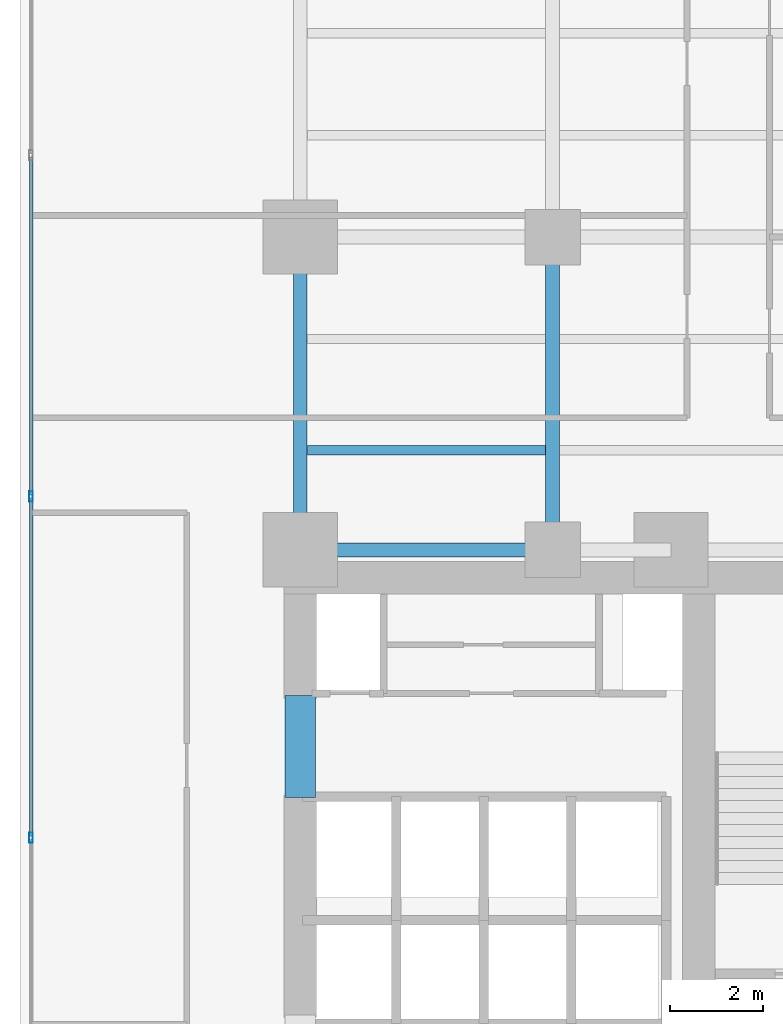
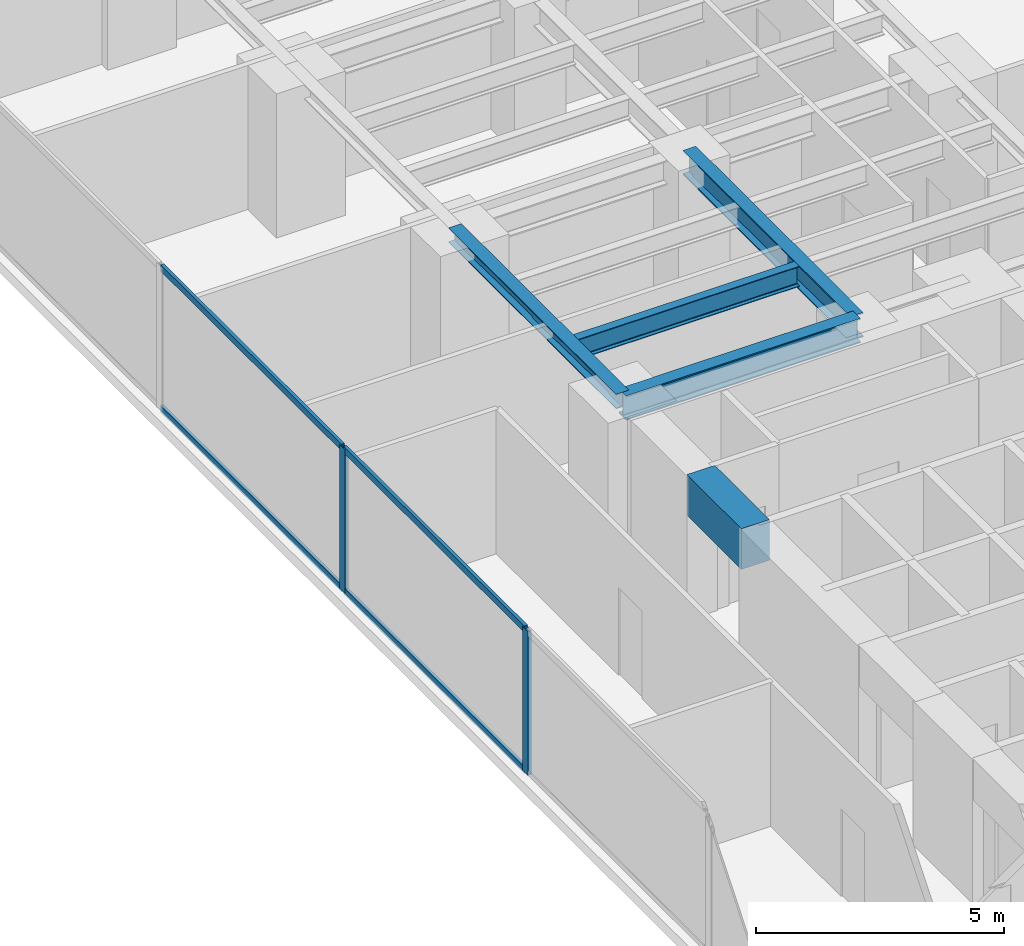
# One storey, part 6 of 28: 6 members, 5 beams, 1 element without a shape of its own.
"""IFC4 building model written with IfcOpenShell, lengths in metres."""

from ifc_helpers import new_model, si_unit, direction, frame, origin, origin_with_axes, origin_2d, place, context, subcontext, project, spatial, rectangle, hollow_rectangle, i_section, extrude, source, transform, mapped, material, layer, layer_set, material_profile, profile_set, type_object, element, aggregate, save


model = new_model("IFC4")

# Units and contexts
model_context = context("Model", 3, precision=1e-05, world=origin(), true_north=direction((0.0, 1.0)))
body_context = subcontext(model_context, "Body", "Model", "MODEL_VIEW")
ifc_project = project(units=[si_unit("LENGTHUNIT", "METRE"), si_unit("AREAUNIT", "SQUARE_METRE"), si_unit("VOLUMEUNIT", "CUBIC_METRE"), si_unit("PLANEANGLEUNIT", "RADIAN"), si_unit("MASSUNIT", "GRAM", prefix="KILO")], contexts=[model_context])

# Site, building, storey
site_placement = place(None, origin())
site = spatial("IfcSite", under=ifc_project, at=site_placement, CompositionType="ELEMENT")
building_placement = place(site_placement, origin())
building = spatial("IfcBuilding", under=site, at=building_placement, Name="Kolvaren Waterfront Exchange", CompositionType="ELEMENT")
storey_placement = place(building_placement, frame((0.0, 0.0, 56.199951171875)))
storey = spatial("IfcBuildingStorey", under=building, at=storey_placement, Name="L14", CompositionType="ELEMENT", Elevation=56.199951171875)

# Beams
ifc_material_1 = material(Name="Steel S355", Category="steel")
ifc_material_profile_1 = material_profile(ifc_material_1, i_section(OverallWidth=0.300048828125, OverallDepth=0.360107421875, WebThickness=0.012451171875, FlangeThickness=0.0224609375, FilletRadius=0.027099609375, at=origin_2d()), Name="HEB360")
ifc_profile_set_1 = profile_set([ifc_material_profile_1], Name="Steel S355")
beam_type_1 = type_object("IfcBeamType", Name="STR-BM-HEB360", PredefinedType="SPANDREL", material=ifc_profile_set_1)
beam_1_placement = place(storey_placement, frame((7.449951171875, 24.449951171875, 3.360107421875), z_axis=(0.0, 1.0, 0.0), x_axis=(-1.0, 0.0, 0.0)))
element("IfcBeam", 1, at=beam_1_placement, inside=storey, type_object=beam_type_1, Name="L14 north-arm edge beam 1", PredefinedType="SPANDREL", context=body_context, shape_type="SweptSolid", body=[
    extrude(i_section(OverallWidth=0.300048828125, OverallDepth=0.360107421875, WebThickness=0.012451171875, FlangeThickness=0.0224609375, FilletRadius=0.027099609375, at=origin_2d()), origin(), (0.0, 0.0, 1.0), 6.75),
])
ifc_material_profile_2 = material_profile(ifc_material_1, i_section(OverallWidth=0.300048828125, OverallDepth=0.60009765625, WebThickness=0.015380859375, FlangeThickness=0.030029296875, FilletRadius=0.027099609375, at=origin_2d()), Name="HEB600")
ifc_profile_set_2 = profile_set([ifc_material_profile_2], Name="Steel S355")
beam_type_2 = type_object("IfcBeamType", Name="STR-BM-HEB600", PredefinedType="BEAM", material=ifc_profile_set_2)
beam_2_placement = place(storey_placement, frame((7.449951171875, 24.449951171875, 3.239990234375), z_axis=(1.0, 0.0, 0.0), x_axis=(0.0, 1.0, 0.0)))
element("IfcBeam", 2, at=beam_2_placement, inside=storey, type_object=beam_type_2, Name="L14 north-arm girder 1A", PredefinedType="BEAM", context=body_context, shape_type="SweptSolid", body=[
    extrude(i_section(OverallWidth=0.300048828125, OverallDepth=0.60009765625, WebThickness=0.015380859375, FlangeThickness=0.030029296875, FilletRadius=0.027099609375, at=origin_2d()), origin(), (0.0, 0.0, 1.0), 5.449951171875),
])
beam_3_placement = place(storey_placement, frame((12.89990234375, 24.449951171875, 3.239990234375), z_axis=(0.0, 1.0, 0.0), x_axis=(-1.0, 0.0, 0.0)))
element("IfcBeam", 3, at=beam_3_placement, inside=storey, type_object=beam_type_2, Name="L14 north-arm edge beam 1", PredefinedType="BEAM", context=body_context, shape_type="SweptSolid", body=[
    extrude(i_section(OverallWidth=0.300048828125, OverallDepth=0.60009765625, WebThickness=0.015380859375, FlangeThickness=0.030029296875, FilletRadius=0.027099609375, at=origin_2d()), origin(), (0.0, 0.0, 1.0), 6.75),
])
ifc_material_profile_3 = material_profile(ifc_material_1, i_section(OverallWidth=0.199951171875, OverallDepth=0.5, WebThickness=0.01025390625, FlangeThickness=0.01611328125, FilletRadius=0.02099609375, at=origin_2d()), Name="IPE500")
ifc_profile_set_3 = profile_set([ifc_material_profile_3], Name="Steel S355")
beam_type_3 = type_object("IfcBeamType", Name="STR-BM-IPE500", PredefinedType="JOIST", material=ifc_profile_set_3)
beam_4_placement = place(storey_placement, frame((7.60205078125, 26.60009765625, 3.2900390625), z_axis=(1.0, 0.0, 0.0), x_axis=(0.0, 1.0, 0.0)))
element("IfcBeam", 4, at=beam_4_placement, inside=storey, type_object=beam_type_3, Name="L14 north-arm composite joist 1A", PredefinedType="JOIST", context=body_context, shape_type="SweptSolid", body=[
    extrude(i_section(OverallWidth=0.199951171875, OverallDepth=0.5, WebThickness=0.01025390625, FlangeThickness=0.01611328125, FilletRadius=0.02099609375, at=origin_2d()), origin(), (0.0, 0.0, 1.0), 5.14599609375),
])
ifc_material_2 = material(Name="Concrete C60/75", Category="concrete")
ifc_material_profile_4 = material_profile(ifc_material_2, rectangle(XDim=0.64990234375, YDim=1.0, at=origin_2d()), Name="RC-CB-1000x650")
ifc_profile_set_4 = profile_set([ifc_material_profile_4], Name="Concrete C60/75")
beam_type_4 = type_object("IfcBeamType", Name="STR-CB-1000", PredefinedType="SPANDREL", material=ifc_profile_set_4)
beam_5_placement = place(storey_placement, frame((7.449951171875, 19.10009765625, 3.0400390625), z_axis=(0.0, 1.0, 0.0), x_axis=(-1.0, 0.0, 0.0)))
element("IfcBeam", 5, at=beam_5_placement, inside=storey, type_object=beam_type_4, Name="L14 core coupling beam 5", PredefinedType="SPANDREL", context=body_context, shape_type="SweptSolid", body=[
    extrude(rectangle(XDim=0.64990234375, YDim=1.0, at=origin_2d()), origin(), (0.0, 0.0, 1.0), 2.199951171875),
])

# Curtain wall, members
ifc_material_3 = material(Name="Anodised aluminium 6063-T6", Category="aluminium")
ifc_layer = layer(ifc_material_3, 0.219970703125, Name="Anodised aluminium 6063-T6")
ifc_layer_set = layer_set([ifc_layer], Name="Anodised aluminium 6063-T6")
curtain_wall_type = type_object("IfcCurtainWallType", Name="ARC-CW-SYS2", PredefinedType="USERDEFINED", material=ifc_layer_set)
curtain_wall_placement = place(storey_placement, origin())
curtain_wall = element("IfcCurtainWall", 6, at=curtain_wall_placement, inside=storey, type_object=curtain_wall_type, Name="L14 stick curtain wall CW2 (CW-L14-W)", ObjectType="STICK CURTAIN WALL", PredefinedType="USERDEFINED")
ifc_material_profile_5 = material_profile(ifc_material_3, hollow_rectangle(XDim=0.074951171875, YDim=0.159912109375, WallThickness=0.00439453125, at=origin_2d()), Name="ALU-TRN-160x75x4.5")
ifc_profile_set_5 = profile_set([ifc_material_profile_5], Name="Anodised aluminium 6063-T6")
member_type_1 = type_object("IfcMemberType", Name="ARC-CWT-160", PredefinedType="USERDEFINED", material=ifc_profile_set_5)
shared_shape_1 = source(origin_with_axes(), body_context, "Body", "SweptSolid", [
    extrude(hollow_rectangle(XDim=0.074951171875, YDim=0.159912109375, WallThickness=0.00439453125, at=origin_2d()), origin(), (0.0, 0.0, 1.0), 7.28662109375),
])
member_1_placement = place(storey_placement, frame((1.639892578125, 18.2734375, 0.03759765625), z_axis=(0.0, 1.0, 0.0), x_axis=(-1.0, 0.0, 0.0)))
member_1 = element("IfcMember", 7, at=member_1_placement, type_object=member_type_1, Name="CW2 transom 3.1", ObjectType="TRANSOM", PredefinedType="USERDEFINED", context=body_context, shape_type="MappedRepresentation", body=[
    mapped(shared_shape_1, transform((0.0, 0.0, 0.0), x_axis=(1.0, 0.0, 0.0), y_axis=(0.0, 1.0, 0.0), z_axis=(0.0, 0.0, 1.0), scale=1.0)),
])
member_2_placement = place(storey_placement, frame((1.639892578125, 18.2734375, 3.50244140625), z_axis=(0.0, 1.0, 0.0), x_axis=(-1.0, 0.0, 0.0)))
member_2 = element("IfcMember", 8, at=member_2_placement, type_object=member_type_1, Name="CW2 transom 3.2", ObjectType="TRANSOM", PredefinedType="USERDEFINED", context=body_context, shape_type="MappedRepresentation", body=[
    mapped(shared_shape_1, transform((0.0, 0.0, 0.0), x_axis=(1.0, 0.0, 0.0), y_axis=(0.0, 1.0, 0.0), z_axis=(0.0, 0.0, 1.0), scale=1.0)),
])
shared_shape_2 = source(origin_with_axes(), body_context, "Body", "SweptSolid", [
    extrude(hollow_rectangle(XDim=0.074951171875, YDim=0.159912109375, WallThickness=0.00439453125, at=origin_2d()), origin(), (0.0, 0.0, 1.0), 7.286865234375),
])
member_3_placement = place(storey_placement, frame((1.639892578125, 25.639892578125, 0.03759765625), z_axis=(0.0, 1.0, 0.0), x_axis=(-1.0, 0.0, 0.0)))
member_3 = element("IfcMember", 9, at=member_3_placement, type_object=member_type_1, Name="CW2 transom 4.1", ObjectType="TRANSOM", PredefinedType="USERDEFINED", context=body_context, shape_type="MappedRepresentation", body=[
    mapped(shared_shape_2, transform((0.0, 0.0, 0.0), x_axis=(1.0, 0.0, 0.0), y_axis=(0.0, 1.0, 0.0), z_axis=(0.0, 0.0, 1.0), scale=1.0)),
])
member_4_placement = place(storey_placement, frame((1.639892578125, 25.639892578125, 3.50244140625), z_axis=(0.0, 1.0, 0.0), x_axis=(-1.0, 0.0, 0.0)))
member_4 = element("IfcMember", 10, at=member_4_placement, type_object=member_type_1, Name="CW2 transom 4.2", ObjectType="TRANSOM", PredefinedType="USERDEFINED", context=body_context, shape_type="MappedRepresentation", body=[
    mapped(shared_shape_2, transform((0.0, 0.0, 0.0), x_axis=(1.0, 0.0, 0.0), y_axis=(0.0, 1.0, 0.0), z_axis=(0.0, 0.0, 1.0), scale=1.0)),
])
ifc_material_profile_6 = material_profile(ifc_material_3, hollow_rectangle(XDim=0.080078125, YDim=0.219970703125, WallThickness=0.0048828125, at=origin_2d()), Name="ALU-MUL-220x80x5")
ifc_profile_set_6 = profile_set([ifc_material_profile_6], Name="Anodised aluminium 6063-T6")
member_type_2 = type_object("IfcMemberType", Name="ARC-CWM-220", PredefinedType="MULLION", material=ifc_profile_set_6)
shared_shape_3 = source(origin_with_axes(), body_context, "Body", "SweptSolid", [
    extrude(hollow_rectangle(XDim=0.080078125, YDim=0.219970703125, WallThickness=0.0048828125, at=origin_2d()), origin(), (0.0, 0.0, 1.0), 3.5400390625),
])
member_5_placement = place(storey_placement, frame((1.639892578125, 18.2333984375, 0.0), z_axis=(0.0, 0.0, 1.0), x_axis=(-1.0, 0.0, 0.0)))
member_5 = element("IfcMember", 11, at=member_5_placement, type_object=member_type_2, Name="CW2 mullion 3", PredefinedType="MULLION", context=body_context, shape_type="MappedRepresentation", body=[
    mapped(shared_shape_3, transform((0.0, 0.0, 0.0), x_axis=(1.0, 0.0, 0.0), y_axis=(0.0, 1.0, 0.0), z_axis=(0.0, 0.0, 1.0), scale=1.0)),
])
member_6_placement = place(storey_placement, frame((1.639892578125, 25.60009765625, 0.0), z_axis=(0.0, 0.0, 1.0), x_axis=(-1.0, 0.0, 0.0)))
member_6 = element("IfcMember", 12, at=member_6_placement, type_object=member_type_2, Name="CW2 mullion 4", PredefinedType="MULLION", context=body_context, shape_type="MappedRepresentation", body=[
    mapped(shared_shape_3, transform((0.0, 0.0, 0.0), x_axis=(1.0, 0.0, 0.0), y_axis=(0.0, 1.0, 0.0), z_axis=(0.0, 0.0, 1.0), scale=1.0)),
])
aggregate(curtain_wall, [member_5, member_6, member_1, member_2, member_3, member_4])

save(model, "model.ifc")
